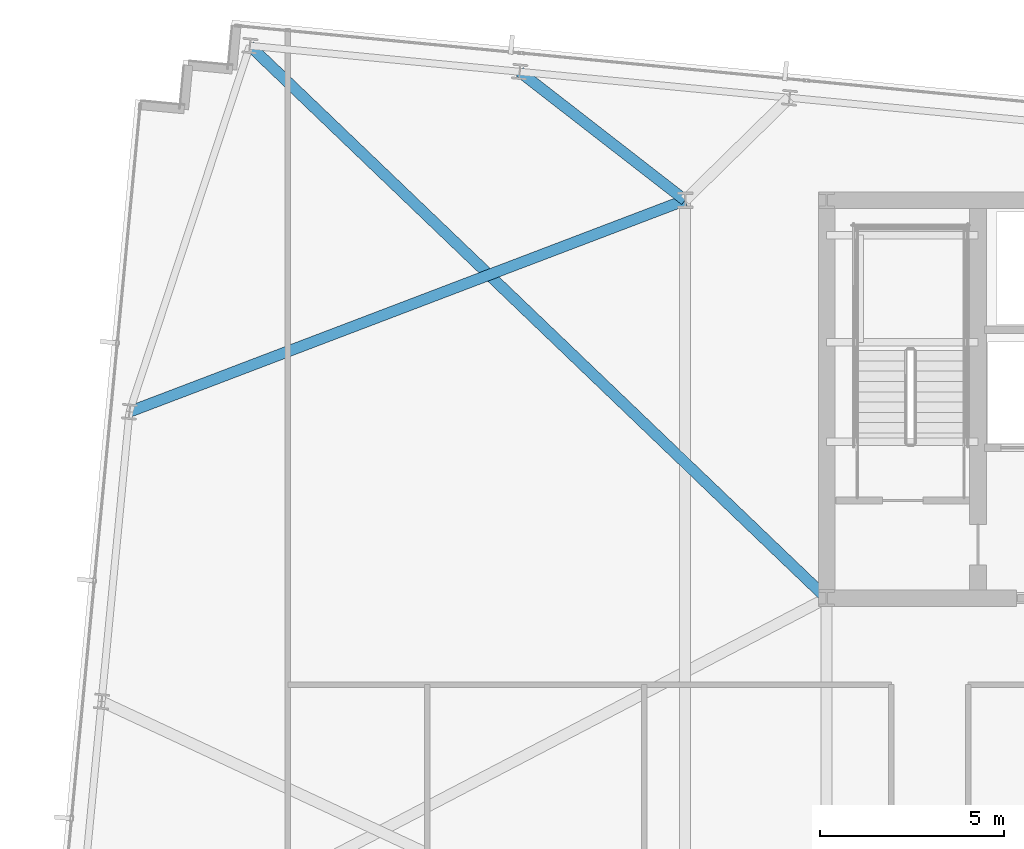
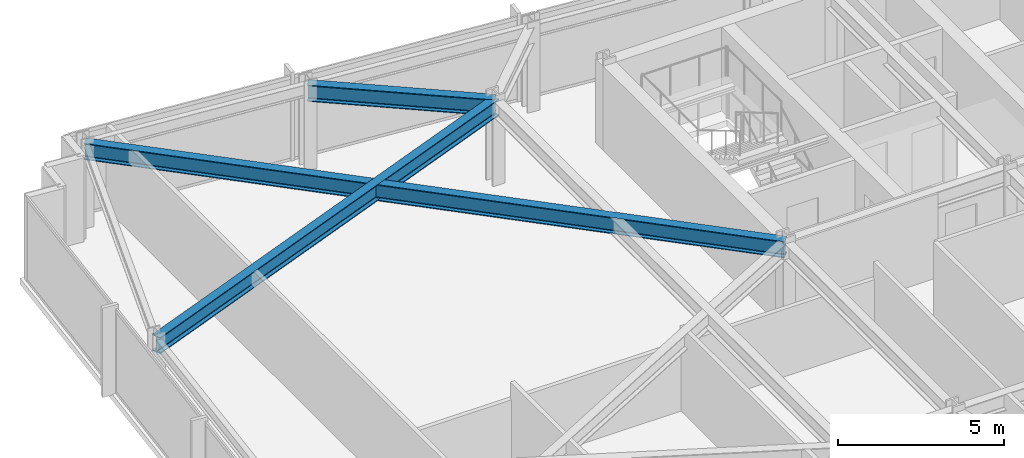
# One storey, part 22 of 38: 3 beams.
"""IFC4 building model written with IfcOpenShell, lengths in metres."""

from ifc_helpers import new_model, si_unit, direction, frame, origin, origin_2d, place, context, subcontext, project, spatial, i_section, extrude, material, material_profile, profile_set, type_object, element, save


model = new_model("IFC4")

# Units and contexts
model_context = context("Model", 3, precision=1e-05, world=origin(), true_north=direction((0.0, 1.0)))
body_context = subcontext(model_context, "Body", "Model", "MODEL_VIEW")
ifc_project = project(units=[si_unit("LENGTHUNIT", "METRE"), si_unit("AREAUNIT", "SQUARE_METRE"), si_unit("VOLUMEUNIT", "CUBIC_METRE"), si_unit("PLANEANGLEUNIT", "RADIAN"), si_unit("MASSUNIT", "GRAM", prefix="KILO")], contexts=[model_context])

# Site, building, storey
site_placement = place(None, origin())
site = spatial("IfcSite", under=ifc_project, at=site_placement, CompositionType="ELEMENT")
building_placement = place(site_placement, origin())
building = spatial("IfcBuilding", under=site, at=building_placement, Name="Yelkora Congress Tower", CompositionType="ELEMENT")
storey_placement = place(building_placement, frame((0.0, 0.0, 185.300048828125)))
storey = spatial("IfcBuildingStorey", under=building, at=storey_placement, Name="L51", CompositionType="ELEMENT", Elevation=185.300048828125)

# Beams
ifc_material = material(Name="Steel S355J2", Category="steel")
ifc_material_profile = material_profile(ifc_material, i_section(OverallWidth=0.300048828125, OverallDepth=0.60009765625, WebThickness=0.015380859375, FlangeThickness=0.030029296875, FilletRadius=0.027099609375, at=origin_2d()), Name="HEB 600")
ifc_profile_set = profile_set([ifc_material_profile], Name="Steel S355J2")
beam_type = type_object("IfcBeamType", Name="BM-GIRD-HEB600", PredefinedType="BEAM", material=ifc_profile_set)
beam_1_placement = place(storey_placement, frame((7.388916015625, 50.390625, 2.780029296875), z_axis=(0.722178809531, -0.691706416816, 0.0), x_axis=(0.691706416816, 0.722178809531, 0.0)))
element("IfcBeam", 1, at=beam_1_placement, inside=storey, type_object=beam_type, Name="L51 Primary Frame Girder N01", PredefinedType="BEAM", context=body_context, shape_type="SweptSolid", body=[
    extrude(i_section(OverallWidth=0.300048828125, OverallDepth=0.60009765625, WebThickness=0.015380859375, FlangeThickness=0.030029296875, FilletRadius=0.027099609375, at=origin_2d()), origin(), (0.0, 0.0, 1.0), 21.672119140625),
])
beam_2_placement = place(storey_placement, frame((14.712158203125, 49.685546875, 2.780029296875), z_axis=(0.789770770989, -0.6134020943, 0.0), x_axis=(0.6134020943, 0.789770770989, 0.0)))
element("IfcBeam", 2, at=beam_2_placement, inside=storey, type_object=beam_type, Name="L51 Primary Frame Girder N02", PredefinedType="BEAM", context=body_context, shape_type="SweptSolid", body=[
    extrude(i_section(OverallWidth=0.300048828125, OverallDepth=0.60009765625, WebThickness=0.015380859375, FlangeThickness=0.030029296875, FilletRadius=0.027099609375, at=origin_2d()), origin(), (0.0, 0.0, 1.0), 5.682373046875),
])
beam_3_placement = place(storey_placement, frame((4.121826171875, 40.4580078125, 2.780029296875), z_axis=(0.934531115392, 0.355881433013, 0.0), x_axis=(-0.355881433013, 0.934531115392, 0.0)))
element("IfcBeam", 3, at=beam_3_placement, inside=storey, type_object=beam_type, Name="L51 Primary Frame Girder W03", PredefinedType="BEAM", context=body_context, shape_type="SweptSolid", body=[
    extrude(i_section(OverallWidth=0.300048828125, OverallDepth=0.60009765625, WebThickness=0.015380859375, FlangeThickness=0.030029296875, FilletRadius=0.027099609375, at=origin_2d()), origin(), (0.0, 0.0, 1.0), 16.134521484375),
])

save(model, "model.ifc")
